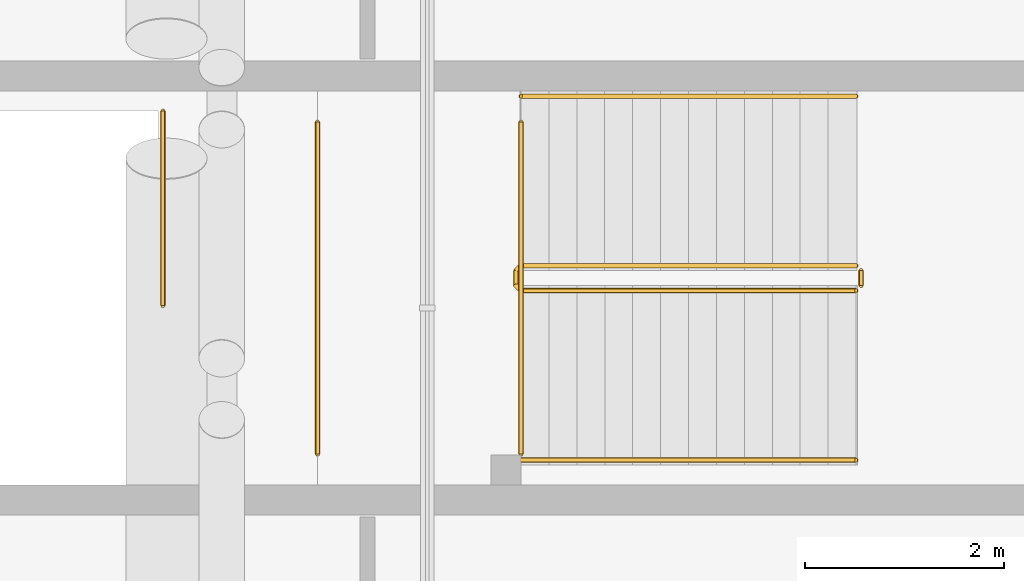
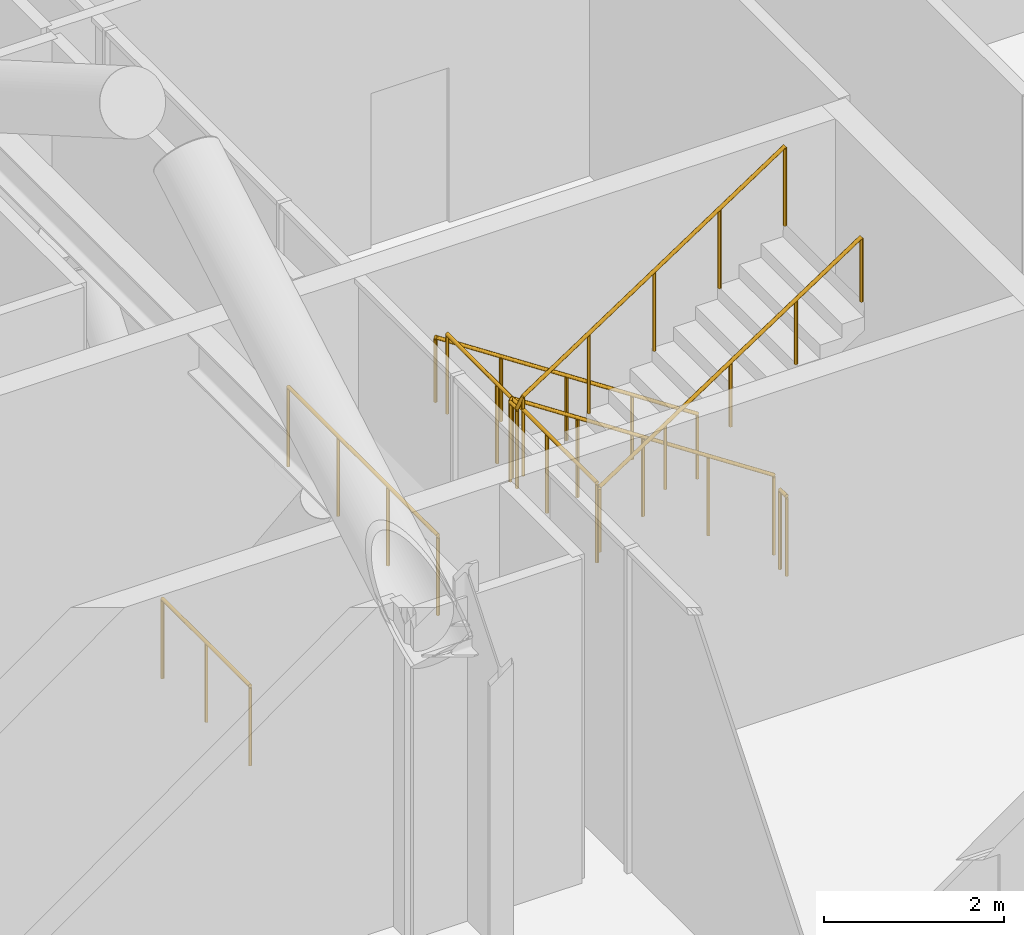
# One storey, part 35 of 39: 7 railings.
"""IFC4 building model written with IfcOpenShell, lengths in metres."""

from ifc_helpers import new_model, si_unit, direction, frame, origin, origin_2d, place, context, subcontext, project, spatial, circle, extrude, material, type_object, element, save


model = new_model("IFC4")

# Units and contexts
model_context = context("Model", 3, precision=1e-05, world=origin(), true_north=direction((0.0, 1.0)))
body_context = subcontext(model_context, "Body", "Model", "MODEL_VIEW")
ifc_project = project(units=[si_unit("LENGTHUNIT", "METRE"), si_unit("AREAUNIT", "SQUARE_METRE"), si_unit("VOLUMEUNIT", "CUBIC_METRE"), si_unit("PLANEANGLEUNIT", "RADIAN"), si_unit("MASSUNIT", "GRAM", prefix="KILO")], contexts=[model_context])

# Site, building, storey
site_placement = place(None, origin())
site = spatial("IfcSite", under=ifc_project, at=site_placement, CompositionType="ELEMENT")
building_placement = place(site_placement, origin())
building = spatial("IfcBuilding", under=site, at=building_placement, Name="Wharfspan Tower", CompositionType="ELEMENT")
storey_placement = place(building_placement, frame((0.0, 0.0, 91.899902)))
storey = spatial("IfcBuildingStorey", under=building, at=storey_placement, Name="L20", CompositionType="ELEMENT", Elevation=91.899902)

# Railings
ifc_material = material(Name="Steel S355J2", Category="steel")
railing_type_1 = type_object("IfcRailingType", Name="Stair guard 1100", PredefinedType="GUARDRAIL", material=ifc_material)
railing_1_placement = place(storey_placement, frame((8.5, 24.264893, 2.400146)))
element("IfcRailing", 1, at=railing_1_placement, inside=storey, type_object=railing_type_1, Name="L20 ST3 band guard 1", PredefinedType="GUARDRAIL", context=body_context, shape_type="SweptSolid", body=[
    extrude(circle(Radius=0.023926, at=origin_2d()), frame((0.0, 0.0, 1.076172), z_axis=(0.0, -1.0, 0.0), x_axis=(1.0, 0.0, 0.0)), (0.0, 0.0, 1.0), 3.329834),
    extrude(circle(Radius=0.020996, at=origin_2d()), origin(), (0.0, 0.0, 1.0), 1.052002),
    extrude(circle(Radius=0.020996, at=origin_2d()), frame((0.0, -1.109863, 0.0)), (0.0, 0.0, 1.0), 1.052002),
    extrude(circle(Radius=0.020996, at=origin_2d()), frame((0.0, -2.219971, 0.0)), (0.0, 0.0, 1.0), 1.052002),
    extrude(circle(Radius=0.020996, at=origin_2d()), frame((0.0, -3.329834, 0.0)), (0.0, 0.0, 1.0), 1.052002),
])
railing_2_placement = place(storey_placement, frame((10.540039, 20.935059, 2.400146)))
element("IfcRailing", 2, at=railing_2_placement, inside=storey, type_object=railing_type_1, Name="L20 ST3 band guard 2", PredefinedType="GUARDRAIL", context=body_context, shape_type="SweptSolid", body=[
    extrude(circle(Radius=0.023926, at=origin_2d()), frame((0.0, 0.0, 1.076172), z_axis=(0.0, 1.0, 0.0), x_axis=(-1.0, 0.0, 0.0)), (0.0, 0.0, 1.0), 3.329834),
    extrude(circle(Radius=0.020996, at=origin_2d()), origin(), (0.0, 0.0, 1.0), 1.052002),
    extrude(circle(Radius=0.020996, at=origin_2d()), frame((0.0, 1.109863, 0.0)), (0.0, 0.0, 1.0), 1.052002),
    extrude(circle(Radius=0.020996, at=origin_2d()), frame((0.0, 2.219971, 0.0)), (0.0, 0.0, 1.0), 1.052002),
    extrude(circle(Radius=0.020996, at=origin_2d()), frame((0.0, 3.329834, 0.0)), (0.0, 0.0, 1.0), 1.052002),
])
railing_3_placement = place(storey_placement, frame((6.949951, 24.375, 0.0)))
element("IfcRailing", 3, at=railing_3_placement, inside=storey, type_object=railing_type_1, Name="L20 ST3 top well guard 1", PredefinedType="GUARDRAIL", context=body_context, shape_type="SweptSolid", body=[
    extrude(circle(Radius=0.023926, at=origin_2d()), frame((0.0, 0.0, 1.076172), z_axis=(0.0, -1.0, 0.0), x_axis=(1.0, 0.0, 0.0)), (0.0, 0.0, 1.0), 1.949951),
    extrude(circle(Radius=0.020996, at=origin_2d()), origin(), (0.0, 0.0, 1.0), 1.052002),
    extrude(circle(Radius=0.020996, at=origin_2d()), frame((0.0, -0.975098, 0.0)), (0.0, 0.0, 1.0), 1.052002),
    extrude(circle(Radius=0.020996, at=origin_2d()), frame((0.0, -1.949951, 0.0)), (0.0, 0.0, 1.0), 1.052002),
])
railing_4_placement = place(storey_placement, frame((13.899902, 22.824951, 0.184814)))
element("IfcRailing", 4, at=railing_4_placement, inside=storey, type_object=railing_type_1, Name="L20 ST3 stair guard 1", PredefinedType="GUARDRAIL", context=body_context, shape_type="SweptSolid", body=[
    extrude(circle(Radius=0.023926, at=origin_2d()), frame((0.0, 0.0, 1.076172), z_axis=(-0.834858, 0.0, 0.550465), x_axis=(0.0, -1.0, 0.0)), (0.0, 0.0, 1.0), 4.024414),
    extrude(circle(Radius=0.023926, at=origin_2d()), frame((-3.359863, 0.0, 3.291504), z_axis=(-0.707107, -0.707107, 0.0), x_axis=(0.707107, -0.707107, 0.0)), (0.0, 0.0, 1.0), 0.070801),
    extrude(circle(Radius=0.023926, at=origin_2d()), frame((-3.409912, -0.050049, 3.291504), z_axis=(0.0, -1.0, 0.0), x_axis=(1.0, 0.0, 0.0)), (0.0, 0.0, 1.0), 0.149902),
    extrude(circle(Radius=0.023926, at=origin_2d()), frame((-3.409912, -0.199951, 3.291504), z_axis=(0.253186, -0.253186, 0.933699), x_axis=(0.707107, 0.707107, 0.0)), (0.0, 0.0, 1.0), 0.197754),
    extrude(circle(Radius=0.023926, at=origin_2d()), frame((-3.359863, -0.25, 3.476074), z_axis=(0.834858, 0.0, 0.550465), x_axis=(0.0, 1.0, 0.0)), (0.0, 0.0, 1.0), 4.024414),
    extrude(circle(Radius=0.020996, at=origin_2d()), origin(), (0.0, 0.0, 1.0), 1.052002),
    extrude(circle(Radius=0.020996, at=origin_2d()), frame((-0.839844, 0.0, 0.553711)), (0.0, 0.0, 1.0), 1.052002),
    extrude(circle(Radius=0.020996, at=origin_2d()), frame((-1.679932, 0.0, 1.107666)), (0.0, 0.0, 1.0), 1.052002),
    extrude(circle(Radius=0.020996, at=origin_2d()), frame((-2.52002, 0.0, 1.661621)), (0.0, 0.0, 1.0), 1.052002),
    extrude(circle(Radius=0.020996, at=origin_2d()), frame((-3.359863, 0.0, 2.215332)), (0.0, 0.0, 1.0), 1.052002),
    extrude(circle(Radius=0.020996, at=origin_2d()), frame((-3.409912, -0.050049, 2.215332)), (0.0, 0.0, 1.0), 1.052002),
    extrude(circle(Radius=0.020996, at=origin_2d()), frame((-3.409912, -0.199951, 2.215332)), (0.0, 0.0, 1.0), 1.052002),
    extrude(circle(Radius=0.020996, at=origin_2d()), frame((-3.359863, -0.25, 2.399902)), (0.0, 0.0, 1.0), 1.052002),
    extrude(circle(Radius=0.020996, at=origin_2d()), frame((-2.52002, -0.25, 2.953613)), (0.0, 0.0, 1.0), 1.052002),
    extrude(circle(Radius=0.020996, at=origin_2d()), frame((-1.679932, -0.25, 3.507568)), (0.0, 0.0, 1.0), 1.052002),
    extrude(circle(Radius=0.020996, at=origin_2d()), frame((-0.839844, -0.25, 4.061523)), (0.0, 0.0, 1.0), 1.052002),
    extrude(circle(Radius=0.020996, at=origin_2d()), frame((0.0, -0.25, 4.615234)), (0.0, 0.0, 1.0), 1.052002),
])
railing_5_placement = place(storey_placement, frame((13.949951, 22.774902, 0.0)))
element("IfcRailing", 5, at=railing_5_placement, inside=storey, type_object=railing_type_1, Name="L20 ST3 stair guard 2", PredefinedType="GUARDRAIL", context=body_context, shape_type="SweptSolid", body=[
    extrude(circle(Radius=0.023926, at=origin_2d()), frame((0.0, 0.0, 1.076172), z_axis=(0.0, -1.0, 0.0), x_axis=(1.0, 0.0, 0.0)), (0.0, 0.0, 1.0), 0.149902),
    extrude(circle(Radius=0.020996, at=origin_2d()), origin(), (0.0, 0.0, 1.0), 1.052002),
    extrude(circle(Radius=0.020996, at=origin_2d()), frame((0.0, -0.149902, 0.0)), (0.0, 0.0, 1.0), 1.052002),
])
railing_type_2 = type_object("IfcRailingType", Name="Stair handrail 900", PredefinedType="HANDRAIL", material=ifc_material)
railing_6_placement = place(storey_placement, frame((13.899902, 24.524902, 0.184814)))
element("IfcRailing", 6, at=railing_6_placement, inside=storey, type_object=railing_type_2, Name="L20 ST3 stair handrail 1", PredefinedType="HANDRAIL", context=body_context, shape_type="SweptSolid", body=[
    extrude(circle(Radius=0.023926, at=origin_2d()), frame((0.0, 0.0, 0.875977), z_axis=(-0.834858, 0.0, 0.550465), x_axis=(0.0, -1.0, 0.0)), (0.0, 0.0, 1.0), 4.024414),
    extrude(circle(Radius=0.020996, at=origin_2d()), origin(), (0.0, 0.0, 1.0), 0.851807),
    extrude(circle(Radius=0.020996, at=origin_2d()), frame((-0.839844, 0.0, 0.553711)), (0.0, 0.0, 1.0), 0.851807),
    extrude(circle(Radius=0.020996, at=origin_2d()), frame((-1.679932, 0.0, 1.107666)), (0.0, 0.0, 1.0), 0.851807),
    extrude(circle(Radius=0.020996, at=origin_2d()), frame((-2.52002, 0.0, 1.661621)), (0.0, 0.0, 1.0), 0.851807),
    extrude(circle(Radius=0.020996, at=origin_2d()), frame((-3.359863, 0.0, 2.215332)), (0.0, 0.0, 1.0), 0.851807),
])
railing_7_placement = place(storey_placement, frame((10.540039, 20.875, 2.584717)))
element("IfcRailing", 7, at=railing_7_placement, inside=storey, type_object=railing_type_2, Name="L20 ST3 stair handrail 2", PredefinedType="HANDRAIL", context=body_context, shape_type="SweptSolid", body=[
    extrude(circle(Radius=0.023926, at=origin_2d()), frame((0.0, 0.0, 0.875977), z_axis=(0.834858, 0.0, 0.550465), x_axis=(0.0, 1.0, 0.0)), (0.0, 0.0, 1.0), 4.024414),
    extrude(circle(Radius=0.020996, at=origin_2d()), origin(), (0.0, 0.0, 1.0), 0.851807),
    extrude(circle(Radius=0.020996, at=origin_2d()), frame((0.839844, 0.0, 0.553711)), (0.0, 0.0, 1.0), 0.851807),
    extrude(circle(Radius=0.020996, at=origin_2d()), frame((1.679932, 0.0, 1.107666)), (0.0, 0.0, 1.0), 0.851807),
    extrude(circle(Radius=0.020996, at=origin_2d()), frame((2.52002, 0.0, 1.661621)), (0.0, 0.0, 1.0), 0.851807),
    extrude(circle(Radius=0.020996, at=origin_2d()), frame((3.359863, 0.0, 2.215332)), (0.0, 0.0, 1.0), 0.851807),
])

save(model, "model.ifc")
